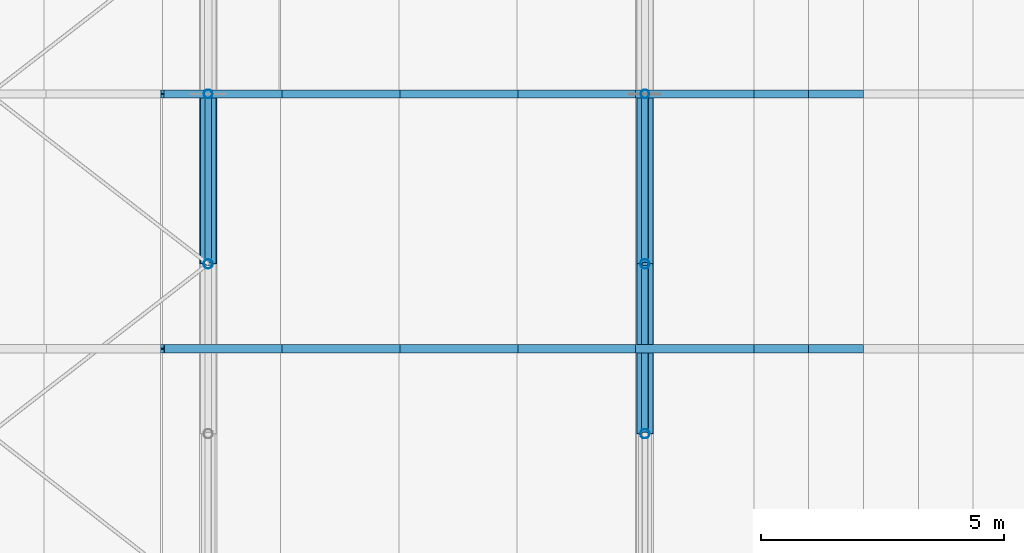
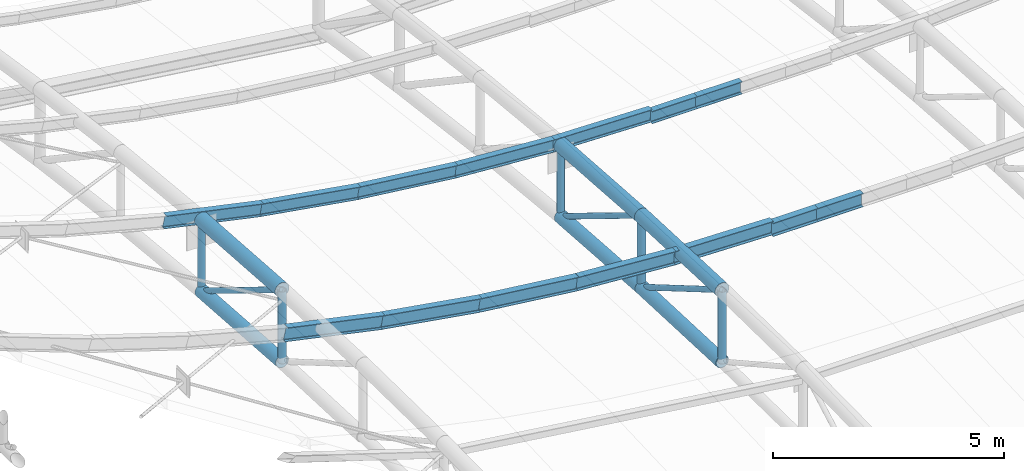
# One storey, part 26 of 262: 28 members.
"""IFC4 building model written with IfcOpenShell, lengths in metres."""

from ifc_helpers import new_model, si_unit, derived_unit, direction, frame, origin, origin_2d, place, context, subcontext, project, spatial, hollow_circle, i_section, extrude, material, material_profile, profile_set, type_object, element, save


model = new_model("IFC4")

# Units and contexts
model_context = context("Model", 3, precision=1e-05, world=origin(), true_north=direction((0.0, 1.0)))
body_context = subcontext(model_context, "Body", "Model", "MODEL_VIEW")
ifc_project = project(units=[si_unit("LENGTHUNIT", "METRE"), si_unit("AREAUNIT", "SQUARE_METRE"), si_unit("VOLUMEUNIT", "CUBIC_METRE"), si_unit("PLANEANGLEUNIT", "RADIAN"), si_unit("MASSUNIT", "GRAM", prefix="KILO"), derived_unit("THERMALTRANSMITTANCEUNIT", [(si_unit("POWERUNIT", "WATT"), 1), (si_unit("LENGTHUNIT", "METRE"), -2), (si_unit("THERMODYNAMICTEMPERATUREUNIT", "KELVIN"), -1)])], contexts=[model_context])

# Site, building, storey
site_placement = place(None, origin())
site = spatial("IfcSite", under=ifc_project, at=site_placement, CompositionType="ELEMENT")
building_placement = place(site_placement, origin())
building = spatial("IfcBuilding", under=site, at=building_placement, Name="Almenara Railside Exhibition Hall", CompositionType="ELEMENT")
storey_placement = place(building_placement, frame((0.0, 0.0, 21.699951171875)))
storey = spatial("IfcBuildingStorey", under=building, at=storey_placement, Name="RF", CompositionType="ELEMENT", Elevation=21.699951171875)

# Members
ifc_material = material(Name="Structural steel S355JR", Category="steel")
ifc_material_profile_1 = material_profile(ifc_material, i_section(OverallWidth=0.159912109375, OverallDepth=0.330078125, WebThickness=0.007568359375, FlangeThickness=0.011474609375, FilletRadius=0.01806640625, at=origin_2d()), Name="IPE 330")
ifc_profile_set_1 = profile_set([ifc_material_profile_1], Name="Structural steel S355JR")
member_type_1 = type_object("IfcMemberType", Name="Gable Bay Purlin IPE 330 S355JR", PredefinedType="PURLIN", material=ifc_profile_set_1)
member_1_placement = place(storey_placement, frame((20.056884765625, 31.5, -5.2392578125), z_axis=(0.977496103583, 0.0, -0.210953472309), x_axis=(0.0, 1.0, 0.0)))
element("IfcMember", 1, at=member_1_placement, inside=storey, type_object=member_type_1, Name="MEM-PR-V4-PR-IPE330-06-07", PredefinedType="PURLIN", context=body_context, shape_type="SweptSolid", body=[
    extrude(i_section(OverallWidth=0.159912109375, OverallDepth=0.330078125, WebThickness=0.007568359375, FlangeThickness=0.011474609375, FilletRadius=0.01806640625, at=origin_2d()), origin(), (0.0, 0.0, 1.0), 2.492919921875),
])
member_2_placement = place(storey_placement, frame((22.49365234375, 31.5, -5.76171875), z_axis=(0.986449960692, 0.0, -0.164062412058), x_axis=(0.0, 1.0, 0.0)))
element("IfcMember", 2, at=member_2_placement, inside=storey, type_object=member_type_1, Name="MEM-PR-V4-PR-IPE330-06-08", PredefinedType="PURLIN", context=body_context, shape_type="SweptSolid", body=[
    extrude(i_section(OverallWidth=0.159912109375, OverallDepth=0.330078125, WebThickness=0.007568359375, FlangeThickness=0.011474609375, FilletRadius=0.01806640625, at=origin_2d()), origin(), (0.0, 0.0, 1.0), 2.47021484375),
])
member_3_placement = place(storey_placement, frame((24.930419921875, 31.5, -6.16455078125), z_axis=(0.993105700961, 0.0, -0.117222296166), x_axis=(0.0, 1.0, 0.0)))
element("IfcMember", 3, at=member_3_placement, inside=storey, type_object=member_type_1, Name="MEM-PR-V4-PR-IPE330-06-09", PredefinedType="PURLIN", context=body_context, shape_type="SweptSolid", body=[
    extrude(i_section(OverallWidth=0.159912109375, OverallDepth=0.330078125, WebThickness=0.007568359375, FlangeThickness=0.011474609375, FilletRadius=0.01806640625, at=origin_2d()), origin(), (0.0, 0.0, 1.0), 2.453369140625),
])
member_4_placement = place(storey_placement, frame((27.366943359375, 31.5, -6.450439453125), z_axis=(0.997521719737, 0.0, -0.070359211571), x_axis=(0.0, 1.0, 0.0)))
element("IfcMember", 4, at=member_4_placement, inside=storey, type_object=member_type_1, Name="MEM-PR-V4-PR-IPE330-06-10", PredefinedType="PURLIN", context=body_context, shape_type="SweptSolid", body=[
    extrude(i_section(OverallWidth=0.159912109375, OverallDepth=0.330078125, WebThickness=0.007568359375, FlangeThickness=0.011474609375, FilletRadius=0.01806640625, at=origin_2d()), origin(), (0.0, 0.0, 1.0), 2.44287109375),
])
member_5_placement = place(storey_placement, frame((29.8037109375, 31.5, -6.621337890625), z_axis=(0.999725289903, 0.0, -0.023438104182), x_axis=(0.0, 1.0, 0.0)))
element("IfcMember", 5, at=member_5_placement, inside=storey, type_object=member_type_1, Name="MEM-PR-V4-PR-IPE330-06-11", PredefinedType="PURLIN", context=body_context, shape_type="SweptSolid", body=[
    extrude(i_section(OverallWidth=0.159912109375, OverallDepth=0.330078125, WebThickness=0.007568359375, FlangeThickness=0.011474609375, FilletRadius=0.01806640625, at=origin_2d()), origin(), (0.0, 0.0, 1.0), 2.4375),
])
member_6_placement = place(storey_placement, frame((32.240478515625, 31.5, -6.728759765625), z_axis=(1.0, 0.0, 0.0), x_axis=(0.0, 1.0, 0.0)))
element("IfcMember", 6, at=member_6_placement, inside=storey, type_object=member_type_1, Name="MEM-PR-V4-PR-IPE330-06-12", PredefinedType="PURLIN", context=body_context, shape_type="SweptSolid", body=[
    extrude(i_section(OverallWidth=0.159912109375, OverallDepth=0.330078125, WebThickness=0.007568359375, FlangeThickness=0.011474609375, FilletRadius=0.01806640625, at=origin_2d()), origin(), (0.0, 0.0, 1.0), 1.129638671875),
])
member_7_placement = place(storey_placement, frame((33.3701171875, 31.5, -6.728759765625), z_axis=(1.0, 0.0, 0.0), x_axis=(0.0, 1.0, 0.0)))
element("IfcMember", 7, at=member_7_placement, inside=storey, type_object=member_type_1, Name="MEM-PR-V4-PR-IPE330-06-13", PredefinedType="PURLIN", context=body_context, shape_type="SweptSolid", body=[
    extrude(i_section(OverallWidth=0.159912109375, OverallDepth=0.330078125, WebThickness=0.007568359375, FlangeThickness=0.011474609375, FilletRadius=0.01806640625, at=origin_2d()), origin(), (0.0, 0.0, 1.0), 1.1298828125),
])
ifc_material_profile_2 = material_profile(ifc_material, i_section(OverallWidth=0.169921875, OverallDepth=0.360107421875, WebThickness=0.008056640625, FlangeThickness=0.0126953125, FilletRadius=0.01806640625, at=origin_2d()), Name="IPE 360")
ifc_profile_set_2 = profile_set([ifc_material_profile_2], Name="Structural steel S355JR")
member_type_2 = type_object("IfcMemberType", Name="Long-Span Scroll Purlin IPE 360 S355JR", PredefinedType="PURLIN", material=ifc_profile_set_2)
member_8_placement = place(storey_placement, frame((20.056884765625, 26.25, -5.02685546875), z_axis=(0.977496103583, 0.0, -0.210953472309), x_axis=(0.0, 1.0, 0.0)))
element("IfcMember", 8, at=member_8_placement, inside=storey, type_object=member_type_2, Name="MEM-PR-V4-PR-IPE360-05-07", PredefinedType="PURLIN", context=body_context, shape_type="SweptSolid", body=[
    extrude(i_section(OverallWidth=0.169921875, OverallDepth=0.360107421875, WebThickness=0.008056640625, FlangeThickness=0.0126953125, FilletRadius=0.01806640625, at=origin_2d()), origin(), (0.0, 0.0, 1.0), 2.492919921875),
])
member_9_placement = place(storey_placement, frame((22.49365234375, 26.25, -5.54931640625), z_axis=(0.986465951297, 0.0, -0.163966237171), x_axis=(0.0, 1.0, 0.0)))
element("IfcMember", 9, at=member_9_placement, inside=storey, type_object=member_type_2, Name="MEM-PR-V4-PR-IPE360-05-08", PredefinedType="PURLIN", context=body_context, shape_type="SweptSolid", body=[
    extrude(i_section(OverallWidth=0.169921875, OverallDepth=0.360107421875, WebThickness=0.008056640625, FlangeThickness=0.0126953125, FilletRadius=0.01806640625, at=origin_2d()), origin(), (0.0, 0.0, 1.0), 2.47021484375),
])
member_10_placement = place(storey_placement, frame((24.930419921875, 26.25, -5.951904296875), z_axis=(0.993105700961, 0.0, -0.117222296166), x_axis=(0.0, 1.0, 0.0)))
element("IfcMember", 10, at=member_10_placement, inside=storey, type_object=member_type_2, Name="MEM-PR-V4-PR-IPE360-05-09", PredefinedType="PURLIN", context=body_context, shape_type="SweptSolid", body=[
    extrude(i_section(OverallWidth=0.169921875, OverallDepth=0.360107421875, WebThickness=0.008056640625, FlangeThickness=0.0126953125, FilletRadius=0.01806640625, at=origin_2d()), origin(), (0.0, 0.0, 1.0), 2.453369140625),
])
member_11_placement = place(storey_placement, frame((27.366943359375, 26.25, -6.23779296875), z_axis=(0.997528729247, 0.0, -0.070259763216), x_axis=(0.0, 1.0, 0.0)))
element("IfcMember", 11, at=member_11_placement, inside=storey, type_object=member_type_2, Name="MEM-PR-V4-PR-IPE360-05-10", PredefinedType="PURLIN", context=body_context, shape_type="SweptSolid", body=[
    extrude(i_section(OverallWidth=0.169921875, OverallDepth=0.360107421875, WebThickness=0.008056640625, FlangeThickness=0.0126953125, FilletRadius=0.01806640625, at=origin_2d()), origin(), (0.0, 0.0, 1.0), 2.44287109375),
])
member_12_placement = place(storey_placement, frame((29.8037109375, 26.25, -6.40869140625), z_axis=(0.999725289903, 0.0, -0.023438104182), x_axis=(0.0, 1.0, 0.0)))
element("IfcMember", 12, at=member_12_placement, inside=storey, type_object=member_type_2, Name="MEM-PR-V4-PR-IPE360-05-11", PredefinedType="PURLIN", context=body_context, shape_type="SweptSolid", body=[
    extrude(i_section(OverallWidth=0.169921875, OverallDepth=0.360107421875, WebThickness=0.008056640625, FlangeThickness=0.0126953125, FilletRadius=0.01806640625, at=origin_2d()), origin(), (0.0, 0.0, 1.0), 2.4375),
])
member_13_placement = place(storey_placement, frame((32.240478515625, 26.25, -6.515625), z_axis=(1.0, 0.0, 0.0), x_axis=(0.0, 1.0, 0.0)))
element("IfcMember", 13, at=member_13_placement, inside=storey, type_object=member_type_2, Name="MEM-PR-V4-PR-IPE360-05-12", PredefinedType="PURLIN", context=body_context, shape_type="SweptSolid", body=[
    extrude(i_section(OverallWidth=0.169921875, OverallDepth=0.360107421875, WebThickness=0.008056640625, FlangeThickness=0.0126953125, FilletRadius=0.01806640625, at=origin_2d()), origin(), (0.0, 0.0, 1.0), 1.129638671875),
])
member_14_placement = place(storey_placement, frame((33.3701171875, 26.25, -6.515625), z_axis=(1.0, 0.0, 0.0), x_axis=(0.0, 1.0, 0.0)))
element("IfcMember", 14, at=member_14_placement, inside=storey, type_object=member_type_2, Name="MEM-PR-V4-PR-IPE360-05-13", PredefinedType="PURLIN", context=body_context, shape_type="SweptSolid", body=[
    extrude(i_section(OverallWidth=0.169921875, OverallDepth=0.360107421875, WebThickness=0.008056640625, FlangeThickness=0.0126953125, FilletRadius=0.01806640625, at=origin_2d()), origin(), (0.0, 0.0, 1.0), 1.1298828125),
])
ifc_material_profile_3 = material_profile(ifc_material, hollow_circle(Radius=0.161865234375, WallThickness=0.010009765625, at=origin_2d()), Name="CHS 323.9x10")
ifc_profile_set_3 = profile_set([ifc_material_profile_3], Name="Structural steel S355JR")
member_type_3 = type_object("IfcMemberType", Name="Plenary Truss Bottom Chord CHS 323.9x10 S355JR", PredefinedType="CHORD", material=ifc_profile_set_3)
member_15_placement = place(storey_placement, frame((21.0, 28.0, -7.170654296875), z_axis=(0.0, 0.997458699831, -0.071247049988), x_axis=(-1.0, 0.0, 0.0)))
element("IfcMember", 15, at=member_15_placement, inside=storey, type_object=member_type_3, Name="MEM-BC-V4-02-08", PredefinedType="CHORD", context=body_context, shape_type="SweptSolid", body=[
    extrude(hollow_circle(Radius=0.161865234375, WallThickness=0.010009765625, at=origin_2d()), origin(), (0.0, 0.0, 1.0), 3.509033203125),
])
member_16_placement = place(storey_placement, frame((30.0, 24.5, -8.20166015625), z_axis=(0.0, 0.999084087935, -0.042790013253), x_axis=(-1.0, 0.0, 0.0)))
element("IfcMember", 16, at=member_16_placement, inside=storey, type_object=member_type_3, Name="MEM-BC-V4-03-07", PredefinedType="CHORD", context=body_context, shape_type="SweptSolid", body=[
    extrude(hollow_circle(Radius=0.161865234375, WallThickness=0.010009765625, at=origin_2d()), origin(), (0.0, 0.0, 1.0), 3.503173828125),
])
member_17_placement = place(storey_placement, frame((30.0, 28.0, -8.3515625), z_axis=(0.0, 0.997458699831, -0.071247049988), x_axis=(-1.0, 0.0, 0.0)))
element("IfcMember", 17, at=member_17_placement, inside=storey, type_object=member_type_3, Name="MEM-BC-V4-03-08", PredefinedType="CHORD", context=body_context, shape_type="SweptSolid", body=[
    extrude(hollow_circle(Radius=0.161865234375, WallThickness=0.010009765625, at=origin_2d()), origin(), (0.0, 0.0, 1.0), 3.509033203125),
])
ifc_material_profile_4 = material_profile(ifc_material, hollow_circle(Radius=0.177734375, WallThickness=0.012451171875, at=origin_2d()), Name="CHS 355.6x12.5")
ifc_profile_set_4 = profile_set([ifc_material_profile_4], Name="Structural steel S355JR")
member_type_4 = type_object("IfcMemberType", Name="Plenary Truss Top Chord CHS 355.6x12.5 S355JR", PredefinedType="CHORD", material=ifc_profile_set_4)
member_18_placement = place(storey_placement, frame((21.0, 28.0, -5.2705078125), z_axis=(0.0, 0.997458699831, -0.071247049988), x_axis=(-1.0, 0.0, 0.0)))
element("IfcMember", 18, at=member_18_placement, inside=storey, type_object=member_type_4, Name="MEM-TC-V4-02-08", PredefinedType="CHORD", context=body_context, shape_type="SweptSolid", body=[
    extrude(hollow_circle(Radius=0.177734375, WallThickness=0.012451171875, at=origin_2d()), origin(), (0.0, 0.0, 1.0), 3.509033203125),
])
member_19_placement = place(storey_placement, frame((30.0, 24.5, -6.3017578125), z_axis=(0.0, 0.999084087935, -0.042790013253), x_axis=(-1.0, 0.0, 0.0)))
element("IfcMember", 19, at=member_19_placement, inside=storey, type_object=member_type_4, Name="MEM-TC-V4-03-07", PredefinedType="CHORD", context=body_context, shape_type="SweptSolid", body=[
    extrude(hollow_circle(Radius=0.177734375, WallThickness=0.012451171875, at=origin_2d()), origin(), (0.0, 0.0, 1.0), 3.503173828125),
])
member_20_placement = place(storey_placement, frame((30.0, 28.0, -6.45166015625), z_axis=(0.0, 0.997458699831, -0.071247049988), x_axis=(-1.0, 0.0, 0.0)))
element("IfcMember", 20, at=member_20_placement, inside=storey, type_object=member_type_4, Name="MEM-TC-V4-03-08", PredefinedType="CHORD", context=body_context, shape_type="SweptSolid", body=[
    extrude(hollow_circle(Radius=0.177734375, WallThickness=0.012451171875, at=origin_2d()), origin(), (0.0, 0.0, 1.0), 3.509033203125),
])
ifc_material_profile_5 = material_profile(ifc_material, hollow_circle(Radius=0.06982421875, WallThickness=0.0048828125, at=origin_2d()), Name="CHS 139.7x5")
ifc_profile_set_5 = profile_set([ifc_material_profile_5], Name="Structural steel S355JR")
member_type_5 = type_object("IfcMemberType", Name="Truss Inner Diagonal CHS 139.7x5 S355JR", PredefinedType="BRACE", material=ifc_profile_set_5)
member_21_placement = place(storey_placement, frame((21.0, 28.0, -5.2705078125), z_axis=(0.0, 0.852060081395, -0.523443996711), x_axis=(-1.0, 0.0, 0.0)))
element("IfcMember", 21, at=member_21_placement, inside=storey, type_object=member_type_5, Name="MEM-TD-V4-02-08", PredefinedType="BRACE", context=body_context, shape_type="SweptSolid", body=[
    extrude(hollow_circle(Radius=0.06982421875, WallThickness=0.0048828125, at=origin_2d()), origin(), (0.0, 0.0, 1.0), 4.107666015625),
])
member_22_placement = place(storey_placement, frame((30.0, 24.5, -6.3017578125), z_axis=(0.0, 0.86290436014, -0.505367257794), x_axis=(-1.0, 0.0, 0.0)))
element("IfcMember", 22, at=member_22_placement, inside=storey, type_object=member_type_5, Name="MEM-TD-V4-03-07", PredefinedType="BRACE", context=body_context, shape_type="SweptSolid", body=[
    extrude(hollow_circle(Radius=0.06982421875, WallThickness=0.0048828125, at=origin_2d()), origin(), (0.0, 0.0, 1.0), 4.05615234375),
])
member_23_placement = place(storey_placement, frame((30.0, 28.0, -6.45166015625), z_axis=(0.0, 0.852086589476, -0.523400844512), x_axis=(-1.0, 0.0, 0.0)))
element("IfcMember", 23, at=member_23_placement, inside=storey, type_object=member_type_5, Name="MEM-TD-V4-03-08", PredefinedType="BRACE", context=body_context, shape_type="SweptSolid", body=[
    extrude(hollow_circle(Radius=0.06982421875, WallThickness=0.0048828125, at=origin_2d()), origin(), (0.0, 0.0, 1.0), 4.107666015625),
])
ifc_material_profile_6 = material_profile(ifc_material, hollow_circle(Radius=0.0888671875, WallThickness=0.006103515625, at=origin_2d()), Name="CHS 177.8x6")
ifc_profile_set_6 = profile_set([ifc_material_profile_6], Name="Structural steel S355JR")
member_type_6 = type_object("IfcMemberType", Name="Truss Quarter Vertical Strut CHS 177.8x6 S355JR", PredefinedType="BRACE", material=ifc_profile_set_6)
member_24_placement = place(storey_placement, frame((21.0, 31.5, -7.420654296875), z_axis=(0.0, 0.0, 1.0), x_axis=(1.0, 0.0, 0.0)))
element("IfcMember", 24, at=member_24_placement, inside=storey, type_object=member_type_6, Name="MEM-TV-V4-02-09", PredefinedType="BRACE", context=body_context, shape_type="SweptSolid", body=[
    extrude(hollow_circle(Radius=0.0888671875, WallThickness=0.006103515625, at=origin_2d()), origin(), (0.0, 0.0, 1.0), 1.900146484375),
])
member_25_placement = place(storey_placement, frame((30.0, 31.5, -8.6015625), z_axis=(0.0, 0.0, 1.0), x_axis=(1.0, 0.0, 0.0)))
element("IfcMember", 25, at=member_25_placement, inside=storey, type_object=member_type_6, Name="MEM-TV-V4-03-09", PredefinedType="BRACE", context=body_context, shape_type="SweptSolid", body=[
    extrude(hollow_circle(Radius=0.0888671875, WallThickness=0.006103515625, at=origin_2d()), origin(), (0.0, 0.0, 1.0), 1.89990234375),
])
ifc_material_profile_7 = material_profile(ifc_material, hollow_circle(Radius=0.096923828125, WallThickness=0.00634765625, at=origin_2d()), Name="CHS 193.7x6.3")
ifc_profile_set_7 = profile_set([ifc_material_profile_7], Name="Structural steel S355JR")
member_type_7 = type_object("IfcMemberType", Name="Truss Standard Vertical Strut CHS 193.7x6.3 S355JR", PredefinedType="BRACE", material=ifc_profile_set_7)
member_26_placement = place(storey_placement, frame((21.0, 28.0, -7.170654296875), z_axis=(0.0, 0.0, 1.0), x_axis=(1.0, 0.0, 0.0)))
element("IfcMember", 26, at=member_26_placement, inside=storey, type_object=member_type_7, Name="MEM-TV-V4-02-08", PredefinedType="BRACE", context=body_context, shape_type="SweptSolid", body=[
    extrude(hollow_circle(Radius=0.096923828125, WallThickness=0.00634765625, at=origin_2d()), origin(), (0.0, 0.0, 1.0), 1.900146484375),
])
for number, where, z_axis, x_axis, name in (
    (27, (30.0, 24.5, -8.20166015625), (0.0, 0.0, 1.0), (1.0, 0.0, 0.0), "MEM-TV-V4-03-07"),
    (28, (30.0, 28.0, -8.3515625), (0.0, 0.0, 1.0), (1.0, 0.0, 0.0), "MEM-TV-V4-03-08"),
):
    element("IfcMember", number, at=place(storey_placement, frame(where, z_axis=z_axis, x_axis=x_axis)), inside=storey, type_object=member_type_7, Name=name, PredefinedType="BRACE", context=body_context, shape_type="SweptSolid", body=[
        extrude(hollow_circle(Radius=0.096923828125, WallThickness=0.00634765625, at=origin_2d()), origin(), (0.0, 0.0, 1.0), 1.89990234375),
    ])

save(model, "model.ifc")
